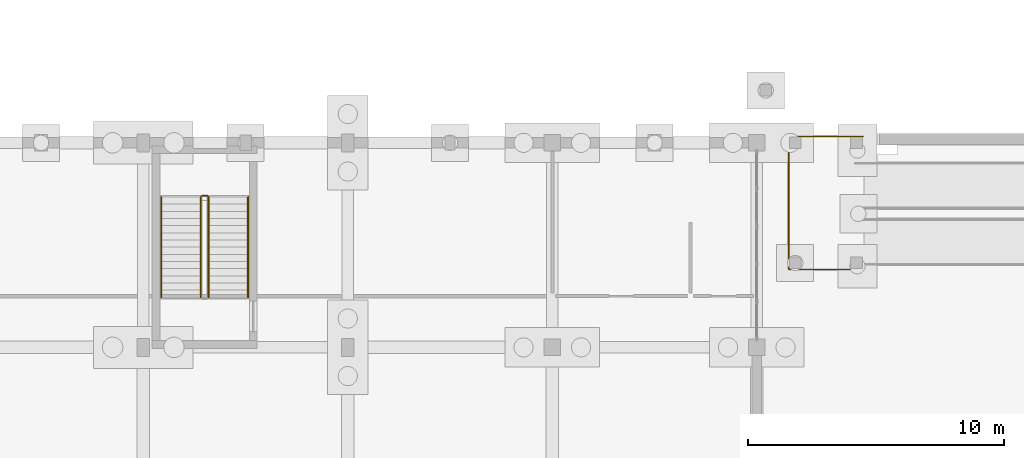
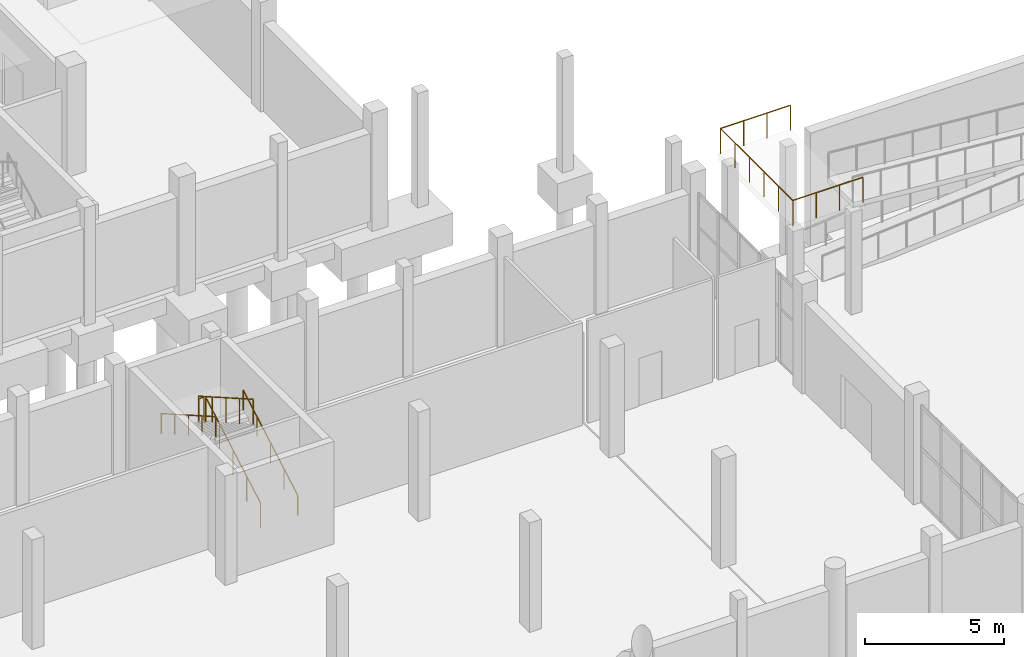
# One storey, part 38 of 52: 6 railings.
"""IFC4 building model written with IfcOpenShell, lengths in metres."""

from ifc_helpers import new_model, si_unit, direction, frame, origin, origin_2d, place, context, subcontext, project, spatial, circle, extrude, material, type_object, element, save


model = new_model("IFC4")

# Units and contexts
model_context = context("Model", 3, precision=1e-05, world=origin(), true_north=direction((0.0, 1.0)))
body_context = subcontext(model_context, "Body", "Model", "MODEL_VIEW")
ifc_project = project(units=[si_unit("LENGTHUNIT", "METRE"), si_unit("AREAUNIT", "SQUARE_METRE"), si_unit("VOLUMEUNIT", "CUBIC_METRE"), si_unit("PLANEANGLEUNIT", "RADIAN"), si_unit("MASSUNIT", "GRAM", prefix="KILO")], contexts=[model_context])

# Site, building, storey
site_placement = place(None, origin())
site = spatial("IfcSite", under=ifc_project, at=site_placement, CompositionType="ELEMENT")
building_placement = place(site_placement, origin())
building = spatial("IfcBuilding", under=site, at=building_placement, Name="Luwemba Playhouse", CompositionType="ELEMENT")
storey_placement = place(building_placement, frame((0.0, 0.0, -4.800048828125)))
storey = spatial("IfcBuildingStorey", under=building, at=storey_placement, Name="B1", CompositionType="ELEMENT", Elevation=-4.800048828125)

# Railings
ifc_material_1 = material(Name="Painted wrought-iron gallery balustrade", Category="steel")
railing_type_1 = type_object("IfcRailingType", Name="RLG-BAL-INT", PredefinedType="BALUSTRADE", material=ifc_material_1)
railing_1_placement = place(storey_placement, frame((38.550048828125, 20.9599609375, 0.16015625)))
element("IfcRailing", 1, at=railing_1_placement, inside=storey, type_object=railing_type_1, Name="B1 ST-13 stair guard 1", PredefinedType="BALUSTRADE", context=body_context, shape_type="SweptSolid", body=[
    extrude(circle(Radius=0.02392578125, at=origin_2d()), frame((0.0, 0.0, 1.09619140625), z_axis=(0.0, 0.868239814368, 0.496144761885), x_axis=(-1.0, 0.0, 0.0)), (0.0, 0.0, 1.0), 4.514892578125),
    extrude(circle(Radius=0.02099609375, at=origin_2d()), origin(), (0.0, 0.0, 1.0), 1.072021484375),
    extrude(circle(Radius=0.02099609375, at=origin_2d()), frame((0.0, 0.97998046875, 0.56005859375)), (0.0, 0.0, 1.0), 1.072021484375),
    extrude(circle(Radius=0.02099609375, at=origin_2d()), frame((0.0, 1.9599609375, 1.1201171875)), (0.0, 0.0, 1.0), 1.072021484375),
    extrude(circle(Radius=0.02099609375, at=origin_2d()), frame((0.0, 2.93994140625, 1.679931640625)), (0.0, 0.0, 1.0), 1.072021484375),
    extrude(circle(Radius=0.02099609375, at=origin_2d()), frame((0.0, 3.919921875, 2.239990234375)), (0.0, 0.0, 1.0), 1.072021484375),
])
railing_2_placement = place(storey_placement, frame((38.5, 24.929931640625, 2.400146484375)))
element("IfcRailing", 2, at=railing_2_placement, inside=storey, type_object=railing_type_1, Name="B1 ST-13 stair guard 2", PredefinedType="BALUSTRADE", context=body_context, shape_type="SweptSolid", body=[
    extrude(circle(Radius=0.02392578125, at=origin_2d()), frame((0.0, 0.0, 1.09619140625), z_axis=(-1.0, 0.0, 0.0), x_axis=(0.0, -1.0, 0.0)), (0.0, 0.0, 1.0), 0.199951171875),
    extrude(circle(Radius=0.02099609375, at=origin_2d()), origin(), (0.0, 0.0, 1.0), 1.072021484375),
    extrude(circle(Radius=0.02099609375, at=origin_2d()), frame((-0.199951171875, 0.0, 0.0)), (0.0, 0.0, 1.0), 1.072021484375),
])
railing_3_placement = place(storey_placement, frame((38.25, 24.8798828125, 2.56005859375)))
element("IfcRailing", 3, at=railing_3_placement, inside=storey, type_object=railing_type_1, Name="B1 ST-13 stair guard 3", PredefinedType="BALUSTRADE", context=body_context, shape_type="SweptSolid", body=[
    extrude(circle(Radius=0.02392578125, at=origin_2d()), frame((0.0, 0.0, 1.09619140625), z_axis=(0.0, -0.868239814368, 0.496144761885), x_axis=(1.0, 0.0, 0.0)), (0.0, 0.0, 1.0), 4.514892578125),
    extrude(circle(Radius=0.02099609375, at=origin_2d()), origin(), (0.0, 0.0, 1.0), 1.072021484375),
    extrude(circle(Radius=0.02099609375, at=origin_2d()), frame((0.0, -0.97998046875, 0.56005859375)), (0.0, 0.0, 1.0), 1.072021484375),
    extrude(circle(Radius=0.02099609375, at=origin_2d()), frame((0.0, -1.9599609375, 1.1201171875)), (0.0, 0.0, 1.0), 1.072021484375),
    extrude(circle(Radius=0.02099609375, at=origin_2d()), frame((0.0, -2.93994140625, 1.679931640625)), (0.0, 0.0, 1.0), 1.072021484375),
    extrude(circle(Radius=0.02099609375, at=origin_2d()), frame((0.0, -3.919921875, 2.239990234375)), (0.0, 0.0, 1.0), 1.072021484375),
])
ifc_material_2 = material(Name="Hardwood and bronze handrail", Category="wood")
railing_type_2 = type_object("IfcRailingType", Name="RLG-HR-INT", PredefinedType="HANDRAIL", material=ifc_material_2)
railing_4_placement = place(storey_placement, frame((40.10009765625, 20.9599609375, 0.16015625)))
element("IfcRailing", 4, at=railing_4_placement, inside=storey, type_object=railing_type_2, Name="B1 ST-13 stair handrail 1", PredefinedType="HANDRAIL", context=body_context, shape_type="SweptSolid", body=[
    extrude(circle(Radius=0.02392578125, at=origin_2d()), frame((0.0, 0.0, 0.8759765625), z_axis=(0.0, 0.868239814368, 0.496144761885), x_axis=(-1.0, 0.0, 0.0)), (0.0, 0.0, 1.0), 4.514892578125),
    extrude(circle(Radius=0.02099609375, at=origin_2d()), origin(), (0.0, 0.0, 1.0), 0.851806640625),
    extrude(circle(Radius=0.02099609375, at=origin_2d()), frame((0.0, 0.97998046875, 0.56005859375)), (0.0, 0.0, 1.0), 0.851806640625),
    extrude(circle(Radius=0.02099609375, at=origin_2d()), frame((0.0, 1.9599609375, 1.1201171875)), (0.0, 0.0, 1.0), 0.851806640625),
    extrude(circle(Radius=0.02099609375, at=origin_2d()), frame((0.0, 2.93994140625, 1.679931640625)), (0.0, 0.0, 1.0), 0.851806640625),
    extrude(circle(Radius=0.02099609375, at=origin_2d()), frame((0.0, 3.919921875, 2.239990234375)), (0.0, 0.0, 1.0), 0.851806640625),
])
railing_5_placement = place(storey_placement, frame((36.699951171875, 24.8798828125, 2.56005859375)))
element("IfcRailing", 5, at=railing_5_placement, inside=storey, type_object=railing_type_2, Name="B1 ST-13 stair handrail 2", PredefinedType="HANDRAIL", context=body_context, shape_type="SweptSolid", body=[
    extrude(circle(Radius=0.02392578125, at=origin_2d()), frame((0.0, 0.0, 0.8759765625), z_axis=(0.0, -0.868239814368, 0.496144761885), x_axis=(1.0, 0.0, 0.0)), (0.0, 0.0, 1.0), 4.514892578125),
    extrude(circle(Radius=0.02099609375, at=origin_2d()), origin(), (0.0, 0.0, 1.0), 0.851806640625),
    extrude(circle(Radius=0.02099609375, at=origin_2d()), frame((0.0, -0.97998046875, 0.56005859375)), (0.0, 0.0, 1.0), 0.851806640625),
    extrude(circle(Radius=0.02099609375, at=origin_2d()), frame((0.0, -1.9599609375, 1.1201171875)), (0.0, 0.0, 1.0), 0.851806640625),
    extrude(circle(Radius=0.02099609375, at=origin_2d()), frame((0.0, -2.93994140625, 1.679931640625)), (0.0, 0.0, 1.0), 0.851806640625),
    extrude(circle(Radius=0.02099609375, at=origin_2d()), frame((0.0, -3.919921875, 2.239990234375)), (0.0, 0.0, 1.0), 0.851806640625),
])
ifc_material_3 = material(Name="Painted wrought-iron balustrade", Category="steel")
railing_type_3 = type_object("IfcRailingType", Name="RLG-RMP-BAL", PredefinedType="BALUSTRADE", material=ifc_material_3)
railing_6_placement = place(storey_placement, frame((64.14990234375, 27.25, 4.800048828125)))
element("IfcRailing", 6, at=railing_6_placement, inside=storey, type_object=railing_type_3, Name="RMP-ACC-FC2 landing perimeter guard", PredefinedType="BALUSTRADE", context=body_context, shape_type="SweptSolid", body=[
    extrude(circle(Radius=0.02392578125, at=origin_2d()), frame((0.0, 0.0, 1.09619140625), z_axis=(-1.0, 0.0, 0.0), x_axis=(0.0, -1.0, 0.0)), (0.0, 0.0, 1.0), 2.89990234375),
    extrude(circle(Radius=0.02392578125, at=origin_2d()), frame((-2.89990234375, 0.0, 1.09619140625), z_axis=(0.0, -1.0, 0.0), x_axis=(1.0, 0.0, 0.0)), (0.0, 0.0, 1.0), 5.199951171875),
    extrude(circle(Radius=0.02392578125, at=origin_2d()), frame((-2.89990234375, -5.199951171875, 1.09619140625), z_axis=(1.0, 0.0, 0.0), x_axis=(0.0, 1.0, 0.0)), (0.0, 0.0, 1.0), 2.89990234375),
    extrude(circle(Radius=0.02099609375, at=origin_2d()), origin(), (0.0, 0.0, 1.0), 1.072021484375),
    extrude(circle(Radius=0.02099609375, at=origin_2d()), frame((-0.966552734375, 0.0, 0.0)), (0.0, 0.0, 1.0), 1.072021484375),
    extrude(circle(Radius=0.02099609375, at=origin_2d()), frame((-1.933349609375, 0.0, 0.0)), (0.0, 0.0, 1.0), 1.072021484375),
    extrude(circle(Radius=0.02099609375, at=origin_2d()), frame((-2.89990234375, 0.0, 0.0)), (0.0, 0.0, 1.0), 1.072021484375),
    extrude(circle(Radius=0.02099609375, at=origin_2d()), frame((-2.89990234375, -1.0400390625, 0.0)), (0.0, 0.0, 1.0), 1.072021484375),
    extrude(circle(Radius=0.02099609375, at=origin_2d()), frame((-2.89990234375, -2.080078125, 0.0)), (0.0, 0.0, 1.0), 1.072021484375),
    extrude(circle(Radius=0.02099609375, at=origin_2d()), frame((-2.89990234375, -3.119873046875, 0.0)), (0.0, 0.0, 1.0), 1.072021484375),
    extrude(circle(Radius=0.02099609375, at=origin_2d()), frame((-2.89990234375, -4.159912109375, 0.0)), (0.0, 0.0, 1.0), 1.072021484375),
    extrude(circle(Radius=0.02099609375, at=origin_2d()), frame((-2.89990234375, -5.199951171875, 0.0)), (0.0, 0.0, 1.0), 1.072021484375),
    extrude(circle(Radius=0.02099609375, at=origin_2d()), frame((-1.933349609375, -5.199951171875, 0.0)), (0.0, 0.0, 1.0), 1.072021484375),
    extrude(circle(Radius=0.02099609375, at=origin_2d()), frame((-0.966552734375, -5.199951171875, 0.0)), (0.0, 0.0, 1.0), 1.072021484375),
    extrude(circle(Radius=0.02099609375, at=origin_2d()), frame((0.0, -5.199951171875, 0.0)), (0.0, 0.0, 1.0), 1.072021484375),
])

save(model, "model.ifc")
